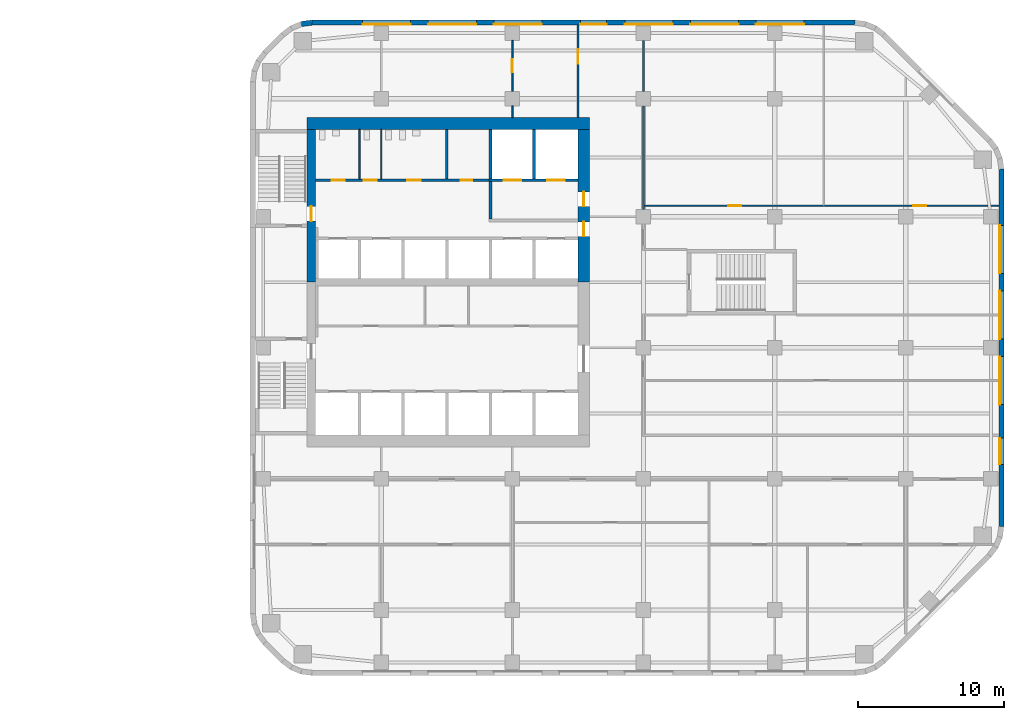
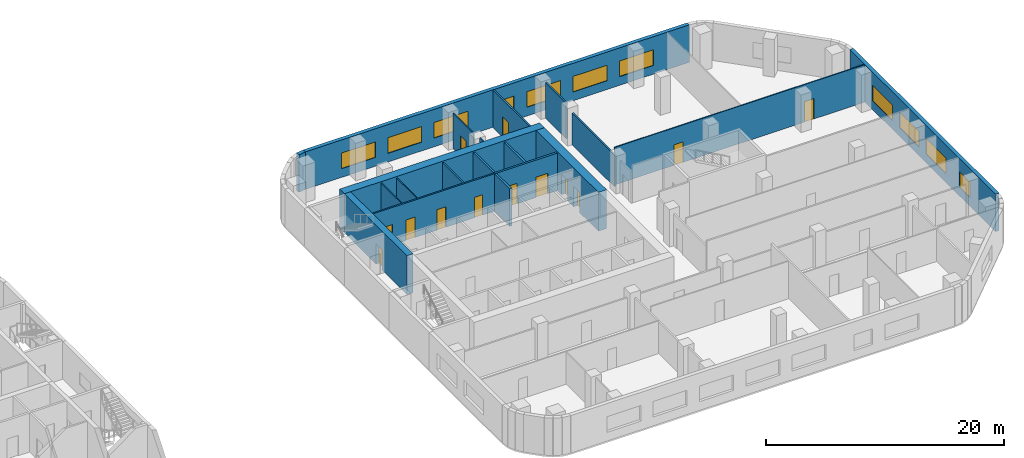
# One storey, part 10 of 14: 20 walls, 13 doors, 11 windows, 24 openings.
"""IFC4 building model written with IfcOpenShell, lengths in metres."""

from ifc_helpers import new_model, si_unit, direction, frame, frame_2d, origin, place, context, subcontext, project, spatial, rectangle, extrude, material, layer, layer_set, type_object, element, fill, save


model = new_model("IFC4")

# Units and contexts
model_context = context("Model", 3, precision=1e-05, world=origin(), true_north=direction((0.0, 1.0)))
body_context = subcontext(model_context, "Body", "Model", "MODEL_VIEW")
ifc_project = project(units=[si_unit("LENGTHUNIT", "METRE"), si_unit("AREAUNIT", "SQUARE_METRE"), si_unit("VOLUMEUNIT", "CUBIC_METRE"), si_unit("PLANEANGLEUNIT", "RADIAN"), si_unit("MASSUNIT", "GRAM", prefix="KILO")], contexts=[model_context])

# Site, building, storey
site_placement = place(None, origin())
site = spatial("IfcSite", under=ifc_project, at=site_placement, CompositionType="ELEMENT")
building_placement = place(site_placement, origin())
building = spatial("IfcBuilding", under=site, at=building_placement, Name="Cinnabar Reach Civic Tower", CompositionType="ELEMENT")
storey_placement = place(building_placement, frame((0.0, 0.0, 104.0)))
storey = spatial("IfcBuildingStorey", under=building, at=storey_placement, Name="L24", CompositionType="ELEMENT", Elevation=104.0)

# Wall
ifc_material_1 = material(Name="Facing brick with insulated backing", Category="masonry")
ifc_layer_1 = layer(ifc_material_1, 0.36)
ifc_layer_set_1 = layer_set([ifc_layer_1], Name="Brick corner wall")
wall_type_1 = type_object("IfcWallType", Name="Brick corner wall", PredefinedType="STANDARD", material=ifc_layer_set_1)
wall_1_placement = place(storey_placement, frame((4.2314, 49.317, 0.0), z_axis=(0.0, 0.0, 1.0), x_axis=(-0.99144092581, -0.13055608231, 0.0)))
element("IfcWall", 1, at=wall_1_placement, inside=storey, type_object=wall_type_1, Name="Brick corner wall", PredefinedType="STANDARD", context=body_context, shape_type="SweptSolid", body=[
    extrude(rectangle(XDim=0.7131, YDim=0.36, at=frame_2d((0.3565, 0.0))), origin(), (0.0, 0.0, 1.0), 3.85),
])

# Wall, openings, windows
ifc_layer_2 = layer(ifc_material_1, 0.36)
ifc_layer_set_2 = layer_set([ifc_layer_2], Name="Brick pier and spandrel wall")
wall_type_2 = type_object("IfcWallType", Name="Brick pier and spandrel wall", PredefinedType="STANDARD", material=ifc_layer_set_2)
wall_2_placement = place(storey_placement, frame((51.57, 14.7426, 0.0), z_axis=(0.0, 0.0, 1.0), x_axis=(0.0, 1.0, 0.0)))
wall_2 = element("IfcWall", 2, at=wall_2_placement, inside=storey, type_object=wall_type_2, Name="Brick facade wall", PredefinedType="STANDARD", context=body_context, shape_type="SweptSolid", body=[
    extrude(rectangle(XDim=24.5148, YDim=0.36, at=frame_2d((12.2574, 0.0))), origin(), (0.0, 0.0, 1.0), 3.85),
])
opening_1_placement = place(wall_2_placement, frame((4.2574, 0.0, 0.9)))
opening_1 = element("IfcOpeningElement", 3, at=opening_1_placement, cuts=wall_2, Name="Opening W1509", PredefinedType="OPENING", context=body_context, shape_type="SweptSolid", body=[
    extrude(rectangle(XDim=1.8, YDim=1.6, at=frame_2d((0.9, 0.8))), frame((0.0, 0.19, 0.0), z_axis=(0.0, -1.0, 0.0), x_axis=(1.0, 0.0, 0.0)), (0.0, 0.0, 1.0), 0.38),
])
opening_2_placement = place(wall_2_placement, frame((8.3574, 0.0, 0.9)))
opening_2 = element("IfcOpeningElement", 4, at=opening_2_placement, cuts=wall_2, Name="Opening W1510", PredefinedType="OPENING", context=body_context, shape_type="SweptSolid", body=[
    extrude(rectangle(XDim=3.3, YDim=1.6, at=frame_2d((1.65, 0.8))), frame((0.0, 0.19, 0.0), z_axis=(0.0, -1.0, 0.0), x_axis=(1.0, 0.0, 0.0)), (0.0, 0.0, 1.0), 0.38),
])
opening_3_placement = place(wall_2_placement, frame((12.8574, 0.0, 0.9)))
opening_3 = element("IfcOpeningElement", 5, at=opening_3_placement, cuts=wall_2, Name="Opening W1511", PredefinedType="OPENING", context=body_context, shape_type="SweptSolid", body=[
    extrude(rectangle(XDim=3.3, YDim=1.6, at=frame_2d((1.65, 0.8))), frame((0.0, 0.19, 0.0), z_axis=(0.0, -1.0, 0.0), x_axis=(1.0, 0.0, 0.0)), (0.0, 0.0, 1.0), 0.38),
])
opening_4_placement = place(wall_2_placement, frame((17.3574, 0.0, 0.9)))
opening_4 = element("IfcOpeningElement", 6, at=opening_4_placement, cuts=wall_2, Name="Opening W1512", PredefinedType="OPENING", context=body_context, shape_type="SweptSolid", body=[
    extrude(rectangle(XDim=3.3, YDim=1.6, at=frame_2d((1.65, 0.8))), frame((0.0, 0.19, 0.0), z_axis=(0.0, -1.0, 0.0), x_axis=(1.0, 0.0, 0.0)), (0.0, 0.0, 1.0), 0.38),
])
ifc_material_2 = material(Name="Clear double glazing in aluminium frame", Category="aluminium")
window_type_1 = type_object("IfcWindowType", Name="Deep-set window A", PartitioningType="SINGLE_PANEL", PredefinedType="WINDOW", material=ifc_material_2)
window_1_placement = place(opening_2_placement, origin())
window_1 = element("IfcWindow", 7, at=window_1_placement, inside=storey, type_object=window_type_1, Name="Window east face", OverallHeight=1.6, OverallWidth=3.3, PartitioningType="SINGLE_PANEL", PredefinedType="WINDOW", context=body_context, shape_type="SweptSolid", body=[
    extrude(rectangle(XDim=3.3, YDim=1.6, at=frame_2d((1.65, 0.8))), frame((0.0, 0.13, 0.0), z_axis=(0.0, -1.0, 0.0), x_axis=(1.0, 0.0, 0.0)), (0.0, 0.0, 1.0), 0.06),
])
fill(opening_2, window_1)
window_2_placement = place(opening_3_placement, origin())
window_2 = element("IfcWindow", 8, at=window_2_placement, inside=storey, type_object=window_type_1, Name="Window east face", OverallHeight=1.6, OverallWidth=3.3, PartitioningType="SINGLE_PANEL", PredefinedType="WINDOW", context=body_context, shape_type="SweptSolid", body=[
    extrude(rectangle(XDim=3.3, YDim=1.6, at=frame_2d((1.65, 0.8))), frame((0.0, 0.13, 0.0), z_axis=(0.0, -1.0, 0.0), x_axis=(1.0, 0.0, 0.0)), (0.0, 0.0, 1.0), 0.06),
])
fill(opening_3, window_2)
window_3_placement = place(opening_4_placement, origin())
window_3 = element("IfcWindow", 9, at=window_3_placement, inside=storey, type_object=window_type_1, Name="Window east face", OverallHeight=1.6, OverallWidth=3.3, PartitioningType="SINGLE_PANEL", PredefinedType="WINDOW", context=body_context, shape_type="SweptSolid", body=[
    extrude(rectangle(XDim=3.3, YDim=1.6, at=frame_2d((1.65, 0.8))), frame((0.0, 0.13, 0.0), z_axis=(0.0, -1.0, 0.0), x_axis=(1.0, 0.0, 0.0)), (0.0, 0.0, 1.0), 0.06),
])
fill(opening_4, window_3)
window_type_2 = type_object("IfcWindowType", Name="Deep-set window D", PartitioningType="SINGLE_PANEL", PredefinedType="WINDOW", material=ifc_material_2)
window_4_placement = place(opening_1_placement, origin())
window_4 = element("IfcWindow", 10, at=window_4_placement, inside=storey, type_object=window_type_2, Name="Window east face", OverallHeight=1.6, OverallWidth=1.8, PartitioningType="SINGLE_PANEL", PredefinedType="WINDOW", context=body_context, shape_type="SweptSolid", body=[
    extrude(rectangle(XDim=1.8, YDim=1.6, at=frame_2d((0.9, 0.8))), frame((0.0, 0.13, 0.0), z_axis=(0.0, -1.0, 0.0), x_axis=(1.0, 0.0, 0.0)), (0.0, 0.0, 1.0), 0.06),
])
fill(opening_1, window_4)

wall_3_placement = place(storey_placement, frame((41.5074, 49.32, 0.0), z_axis=(0.0, 0.0, 1.0), x_axis=(-1.0, 0.0, 0.0)))
wall_3 = element("IfcWall", 11, at=wall_3_placement, inside=storey, type_object=wall_type_2, Name="Brick facade wall", PredefinedType="STANDARD", context=body_context, shape_type="SweptSolid", body=[
    extrude(rectangle(XDim=37.2648, YDim=0.36, at=frame_2d((18.6324, 0.0))), origin(), (0.0, 0.0, 1.0), 3.85),
])
opening_5_placement = place(wall_3_placement, frame((3.4824, 0.0, 0.9)))
opening_5 = element("IfcOpeningElement", 12, at=opening_5_placement, cuts=wall_3, Name="Opening W1514", PredefinedType="OPENING", context=body_context, shape_type="SweptSolid", body=[
    extrude(rectangle(XDim=3.3, YDim=1.6, at=frame_2d((1.65, 0.8))), frame((0.0, 0.19, 0.0), z_axis=(0.0, -1.0, 0.0), x_axis=(1.0, 0.0, 0.0)), (0.0, 0.0, 1.0), 0.38),
])
opening_6_placement = place(wall_3_placement, frame((7.9824, 0.0, 0.9)))
opening_6 = element("IfcOpeningElement", 13, at=opening_6_placement, cuts=wall_3, Name="Opening W1515", PredefinedType="OPENING", context=body_context, shape_type="SweptSolid", body=[
    extrude(rectangle(XDim=3.3, YDim=1.6, at=frame_2d((1.65, 0.8))), frame((0.0, 0.19, 0.0), z_axis=(0.0, -1.0, 0.0), x_axis=(1.0, 0.0, 0.0)), (0.0, 0.0, 1.0), 0.38),
])
opening_7_placement = place(wall_3_placement, frame((12.4824, 0.0, 0.9)))
opening_7 = element("IfcOpeningElement", 14, at=opening_7_placement, cuts=wall_3, Name="Opening W1516", PredefinedType="OPENING", context=body_context, shape_type="SweptSolid", body=[
    extrude(rectangle(XDim=3.3, YDim=1.6, at=frame_2d((1.65, 0.8))), frame((0.0, 0.19, 0.0), z_axis=(0.0, -1.0, 0.0), x_axis=(1.0, 0.0, 0.0)), (0.0, 0.0, 1.0), 0.38),
])
opening_8_placement = place(wall_3_placement, frame((17.0324, 0.0, 0.9)))
opening_8 = element("IfcOpeningElement", 15, at=opening_8_placement, cuts=wall_3, Name="Opening W1517", PredefinedType="OPENING", context=body_context, shape_type="SweptSolid", body=[
    extrude(rectangle(XDim=1.8, YDim=1.6, at=frame_2d((0.9, 0.8))), frame((0.0, 0.19, 0.0), z_axis=(0.0, -1.0, 0.0), x_axis=(1.0, 0.0, 0.0)), (0.0, 0.0, 1.0), 0.38),
])
opening_9_placement = place(wall_3_placement, frame((21.4824, 0.0, 0.9)))
opening_9 = element("IfcOpeningElement", 16, at=opening_9_placement, cuts=wall_3, Name="Opening W1518", PredefinedType="OPENING", context=body_context, shape_type="SweptSolid", body=[
    extrude(rectangle(XDim=3.3, YDim=1.6, at=frame_2d((1.65, 0.8))), frame((0.0, 0.19, 0.0), z_axis=(0.0, -1.0, 0.0), x_axis=(1.0, 0.0, 0.0)), (0.0, 0.0, 1.0), 0.38),
])
opening_10_placement = place(wall_3_placement, frame((25.9824, 0.0, 0.9)))
opening_10 = element("IfcOpeningElement", 17, at=opening_10_placement, cuts=wall_3, Name="Opening W1519", PredefinedType="OPENING", context=body_context, shape_type="SweptSolid", body=[
    extrude(rectangle(XDim=3.3, YDim=1.6, at=frame_2d((1.65, 0.8))), frame((0.0, 0.19, 0.0), z_axis=(0.0, -1.0, 0.0), x_axis=(1.0, 0.0, 0.0)), (0.0, 0.0, 1.0), 0.38),
])
opening_11_placement = place(wall_3_placement, frame((30.4824, 0.0, 0.9)))
opening_11 = element("IfcOpeningElement", 18, at=opening_11_placement, cuts=wall_3, Name="Opening W1520", PredefinedType="OPENING", context=body_context, shape_type="SweptSolid", body=[
    extrude(rectangle(XDim=3.3, YDim=1.6, at=frame_2d((1.65, 0.8))), frame((0.0, 0.19, 0.0), z_axis=(0.0, -1.0, 0.0), x_axis=(1.0, 0.0, 0.0)), (0.0, 0.0, 1.0), 0.38),
])
window_5_placement = place(opening_5_placement, origin())
window_5 = element("IfcWindow", 19, at=window_5_placement, inside=storey, type_object=window_type_1, Name="Window north face", OverallHeight=1.6, OverallWidth=3.3, PartitioningType="SINGLE_PANEL", PredefinedType="WINDOW", context=body_context, shape_type="SweptSolid", body=[
    extrude(rectangle(XDim=3.3, YDim=1.6, at=frame_2d((1.65, 0.8))), frame((0.0, 0.13, 0.0), z_axis=(0.0, -1.0, 0.0), x_axis=(1.0, 0.0, 0.0)), (0.0, 0.0, 1.0), 0.06),
])
fill(opening_5, window_5)
window_6_placement = place(opening_6_placement, origin())
window_6 = element("IfcWindow", 20, at=window_6_placement, inside=storey, type_object=window_type_1, Name="Window north face", OverallHeight=1.6, OverallWidth=3.3, PartitioningType="SINGLE_PANEL", PredefinedType="WINDOW", context=body_context, shape_type="SweptSolid", body=[
    extrude(rectangle(XDim=3.3, YDim=1.6, at=frame_2d((1.65, 0.8))), frame((0.0, 0.13, 0.0), z_axis=(0.0, -1.0, 0.0), x_axis=(1.0, 0.0, 0.0)), (0.0, 0.0, 1.0), 0.06),
])
fill(opening_6, window_6)
window_7_placement = place(opening_7_placement, origin())
window_7 = element("IfcWindow", 21, at=window_7_placement, inside=storey, type_object=window_type_1, Name="Window north face", OverallHeight=1.6, OverallWidth=3.3, PartitioningType="SINGLE_PANEL", PredefinedType="WINDOW", context=body_context, shape_type="SweptSolid", body=[
    extrude(rectangle(XDim=3.3, YDim=1.6, at=frame_2d((1.65, 0.8))), frame((0.0, 0.13, 0.0), z_axis=(0.0, -1.0, 0.0), x_axis=(1.0, 0.0, 0.0)), (0.0, 0.0, 1.0), 0.06),
])
fill(opening_7, window_7)
window_8_placement = place(opening_9_placement, origin())
window_8 = element("IfcWindow", 22, at=window_8_placement, inside=storey, type_object=window_type_1, Name="Window north face", OverallHeight=1.6, OverallWidth=3.3, PartitioningType="SINGLE_PANEL", PredefinedType="WINDOW", context=body_context, shape_type="SweptSolid", body=[
    extrude(rectangle(XDim=3.3, YDim=1.6, at=frame_2d((1.65, 0.8))), frame((0.0, 0.13, 0.0), z_axis=(0.0, -1.0, 0.0), x_axis=(1.0, 0.0, 0.0)), (0.0, 0.0, 1.0), 0.06),
])
fill(opening_9, window_8)
window_9_placement = place(opening_10_placement, origin())
window_9 = element("IfcWindow", 23, at=window_9_placement, inside=storey, type_object=window_type_1, Name="Window north face", OverallHeight=1.6, OverallWidth=3.3, PartitioningType="SINGLE_PANEL", PredefinedType="WINDOW", context=body_context, shape_type="SweptSolid", body=[
    extrude(rectangle(XDim=3.3, YDim=1.6, at=frame_2d((1.65, 0.8))), frame((0.0, 0.13, 0.0), z_axis=(0.0, -1.0, 0.0), x_axis=(1.0, 0.0, 0.0)), (0.0, 0.0, 1.0), 0.06),
])
fill(opening_10, window_9)
window_10_placement = place(opening_11_placement, origin())
window_10 = element("IfcWindow", 24, at=window_10_placement, inside=storey, type_object=window_type_1, Name="Window north face", OverallHeight=1.6, OverallWidth=3.3, PartitioningType="SINGLE_PANEL", PredefinedType="WINDOW", context=body_context, shape_type="SweptSolid", body=[
    extrude(rectangle(XDim=3.3, YDim=1.6, at=frame_2d((1.65, 0.8))), frame((0.0, 0.13, 0.0), z_axis=(0.0, -1.0, 0.0), x_axis=(1.0, 0.0, 0.0)), (0.0, 0.0, 1.0), 0.06),
])
fill(opening_11, window_10)
window_11_placement = place(opening_8_placement, origin())
window_11 = element("IfcWindow", 25, at=window_11_placement, inside=storey, type_object=window_type_2, Name="Window north face", OverallHeight=1.6, OverallWidth=1.8, PartitioningType="SINGLE_PANEL", PredefinedType="WINDOW", context=body_context, shape_type="SweptSolid", body=[
    extrude(rectangle(XDim=1.8, YDim=1.6, at=frame_2d((0.9, 0.8))), frame((0.0, 0.13, 0.0), z_axis=(0.0, -1.0, 0.0), x_axis=(1.0, 0.0, 0.0)), (0.0, 0.0, 1.0), 0.06),
])
fill(opening_8, window_11)

# Wall, opening, door
ifc_material_3 = material(Name="Concrete C70", Category="concrete")
ifc_layer_3 = layer(ifc_material_3, 0.6)
ifc_layer_set_3 = layer_set([ifc_layer_3], Name="Core wall 600 EI 180")
wall_type_3 = type_object("IfcWallType", Name="Core wall 600 EI 180", PredefinedType="SOLIDWALL", material=ifc_layer_set_3)
wall_4_placement = place(storey_placement, frame((4.2, 42.0, 0.0), z_axis=(0.0, 0.0, 1.0), x_axis=(0.0, -1.0, 0.0)))
wall_4 = element("IfcWall", 26, at=wall_4_placement, inside=storey, type_object=wall_type_3, Name="Core wall T1 L24 W", PredefinedType="SOLIDWALL", context=body_context, shape_type="SweptSolid", body=[
    extrude(rectangle(XDim=10.5, YDim=0.6, at=frame_2d((5.25, 0.0))), origin(), (0.0, 0.0, 1.0), 4.0),
])
opening_12_placement = place(wall_4_placement, frame((5.3, 0.0, 0.0)))
opening_12 = element("IfcOpeningElement", 27, at=opening_12_placement, cuts=wall_4, Name="Opening D3963", PredefinedType="OPENING", context=body_context, shape_type="SweptSolid", body=[
    extrude(rectangle(XDim=1.0, YDim=2.1, at=frame_2d((0.5, 1.05))), frame((0.0, 0.31, 0.0), z_axis=(0.0, -1.0, 0.0), x_axis=(1.0, 0.0, 0.0)), (0.0, 0.0, 1.0), 0.62),
])
ifc_material_4 = material(Name="Timber door leaf in steel frame", Category="steel")
door_type_1 = type_object("IfcDoorType", Name="Stair door 1000 x 2100 T1", OperationType="SINGLE_SWING_LEFT", PredefinedType="DOOR", material=ifc_material_4)
door_1_placement = place(opening_12_placement, frame((1.0, 0.0, 0.0), z_axis=(0.0, 0.0, 1.0), x_axis=(-1.0, 0.0, 0.0)))
door_1 = element("IfcDoor", 28, at=door_1_placement, inside=storey, type_object=door_type_1, Name="Door D3963", OperationType="SINGLE_SWING_LEFT", OverallHeight=2.1, OverallWidth=1.0, PredefinedType="DOOR", context=body_context, shape_type="SweptSolid", body=[
    extrude(rectangle(XDim=1.0, YDim=2.1, at=frame_2d((0.5, 1.05))), frame((0.0, 0.025, 0.0), z_axis=(0.0, -1.0, 0.0), x_axis=(1.0, 0.0, 0.0)), (0.0, 0.0, 1.0), 0.05),
])
fill(opening_12, door_1)

# Wall
ifc_layer_4 = layer(ifc_material_3, 0.8)
ifc_layer_set_4 = layer_set([ifc_layer_4], Name="Core wall 800 EI 180")
wall_type_4 = type_object("IfcWallType", Name="Core wall 800 EI 180", PredefinedType="SOLIDWALL", material=ifc_layer_set_4)
wall_5_placement = place(storey_placement, frame((23.3, 42.4, 0.0), z_axis=(0.0, 0.0, 1.0), x_axis=(-1.0, 0.0, 0.0)))
element("IfcWall", 29, at=wall_5_placement, inside=storey, type_object=wall_type_4, Name="Core wall T1 L24 N", PredefinedType="SOLIDWALL", context=body_context, shape_type="SweptSolid", body=[
    extrude(rectangle(XDim=19.4, YDim=0.8, at=frame_2d((9.7, 0.0))), origin(), (0.0, 0.0, 1.0), 4.0),
])

# Wall, openings, doors
wall_6_placement = place(storey_placement, frame((22.9, 31.5, 0.0), z_axis=(0.0, 0.0, 1.0), x_axis=(0.0, 1.0, 0.0)))
wall_6 = element("IfcWall", 30, at=wall_6_placement, inside=storey, type_object=wall_type_4, Name="Core wall T1 L24 E2", PredefinedType="SOLIDWALL", context=body_context, shape_type="SweptSolid", body=[
    extrude(rectangle(XDim=10.5, YDim=0.8, at=frame_2d((5.25, 0.0))), origin(), (0.0, 0.0, 1.0), 4.0),
])
opening_13_placement = place(wall_6_placement, frame((3.15, 0.0, 0.0)))
opening_13 = element("IfcOpeningElement", 31, at=opening_13_placement, cuts=wall_6, Name="Opening D3978", PredefinedType="OPENING", context=body_context, shape_type="SweptSolid", body=[
    extrude(rectangle(XDim=1.0, YDim=2.1, at=frame_2d((0.5, 1.05))), frame((0.0, 0.41, 0.0), z_axis=(0.0, -1.0, 0.0), x_axis=(1.0, 0.0, 0.0)), (0.0, 0.0, 1.0), 0.82),
])
opening_14_placement = place(wall_6_placement, frame((5.2, 0.0, 0.0)))
opening_14 = element("IfcOpeningElement", 32, at=opening_14_placement, cuts=wall_6, Name="Opening D3979", PredefinedType="OPENING", context=body_context, shape_type="SweptSolid", body=[
    extrude(rectangle(XDim=1.0, YDim=2.1, at=frame_2d((0.5, 1.05))), frame((0.0, 0.41, 0.0), z_axis=(0.0, -1.0, 0.0), x_axis=(1.0, 0.0, 0.0)), (0.0, 0.0, 1.0), 0.82),
])
door_type_2 = type_object("IfcDoorType", Name="Firefighting lobby door 1000 x 2100 T1", OperationType="SINGLE_SWING_LEFT", PredefinedType="DOOR", material=ifc_material_4)
door_2_placement = place(opening_14_placement, origin())
door_2 = element("IfcDoor", 33, at=door_2_placement, inside=storey, type_object=door_type_2, Name="Door D3979", OperationType="SINGLE_SWING_RIGHT", OverallHeight=2.1, OverallWidth=1.0, PredefinedType="DOOR", context=body_context, shape_type="SweptSolid", body=[
    extrude(rectangle(XDim=1.0, YDim=2.1, at=frame_2d((0.5, 1.05))), frame((0.0, 0.025, 0.0), z_axis=(0.0, -1.0, 0.0), x_axis=(1.0, 0.0, 0.0)), (0.0, 0.0, 1.0), 0.05),
])
fill(opening_14, door_2)
door_type_3 = type_object("IfcDoorType", Name="Single swing door 1000 x 2100 T1", OperationType="SINGLE_SWING_LEFT", PredefinedType="DOOR", material=ifc_material_4)
door_3_placement = place(opening_13_placement, origin())
door_3 = element("IfcDoor", 34, at=door_3_placement, inside=storey, type_object=door_type_3, Name="Door D3978", OperationType="SINGLE_SWING_RIGHT", OverallHeight=2.1, OverallWidth=1.0, PredefinedType="DOOR", context=body_context, shape_type="SweptSolid", body=[
    extrude(rectangle(XDim=1.0, YDim=2.1, at=frame_2d((0.5, 1.05))), frame((0.0, 0.025, 0.0), z_axis=(0.0, -1.0, 0.0), x_axis=(1.0, 0.0, 0.0)), (0.0, 0.0, 1.0), 0.05),
])
fill(opening_13, door_3)

# Walls
ifc_material_5 = material(Name="Gypsum board on steel studs, double layer", Category="steel")
ifc_layer_5 = layer(ifc_material_5, 0.15)
ifc_layer_set_5 = layer_set([ifc_layer_5], Name="Corridor wall 150 T1")
wall_type_5 = type_object("IfcWallType", Name="Corridor wall 150 T1", PredefinedType="PARTITIONING", material=ifc_layer_set_5)
wall_7_placement = place(storey_placement, frame((27.0, 36.5, 0.0), z_axis=(0.0, 0.0, 1.0), x_axis=(0.0, 1.0, 0.0)))
element("IfcWall", 35, at=wall_7_placement, inside=storey, type_object=wall_type_5, Name="Corridor wall 28", PredefinedType="PARTITIONING", context=body_context, shape_type="SweptSolid", body=[
    extrude(rectangle(XDim=7.1, YDim=0.15, at=frame_2d((3.55, 0.0))), origin(), (0.0, 0.0, 1.0), 3.256),
])
wall_8_placement = place(storey_placement, frame((27.0, 44.6, 0.0), z_axis=(0.0, 0.0, 1.0), x_axis=(0.0, 1.0, 0.0)))
element("IfcWall", 36, at=wall_8_placement, inside=storey, type_object=wall_type_5, Name="Corridor wall 29", PredefinedType="PARTITIONING", context=body_context, shape_type="SweptSolid", body=[
    extrude(rectangle(XDim=3.5, YDim=0.15, at=frame_2d((1.75, 0.0))), origin(), (0.0, 0.0, 1.0), 3.652),
])

# Wall, openings, doors
wall_9_placement = place(storey_placement, frame((4.5, 38.5, 0.0), z_axis=(0.0, 0.0, 1.0), x_axis=(1.0, 0.0, 0.0)))
wall_9 = element("IfcWall", 37, at=wall_9_placement, inside=storey, type_object=wall_type_5, Name="Corridor wall 30", PredefinedType="PARTITIONING", context=body_context, shape_type="SweptSolid", body=[
    extrude(rectangle(XDim=11.9, YDim=0.15, at=frame_2d((5.95, 0.0))), origin(), (0.0, 0.0, 1.0), 3.85),
])
opening_15_placement = place(wall_9_placement, frame((1.1, 0.0, 0.0)))
opening_15 = element("IfcOpeningElement", 38, at=opening_15_placement, cuts=wall_9, Name="Opening D3984", PredefinedType="OPENING", context=body_context, shape_type="SweptSolid", body=[
    extrude(rectangle(XDim=0.9, YDim=2.1, at=frame_2d((0.45, 1.05))), frame((0.0, 0.085, 0.0), z_axis=(0.0, -1.0, 0.0), x_axis=(1.0, 0.0, 0.0)), (0.0, 0.0, 1.0), 0.17),
])
opening_16_placement = place(wall_9_placement, frame((3.3, 0.0, 0.0)))
opening_16 = element("IfcOpeningElement", 39, at=opening_16_placement, cuts=wall_9, Name="Opening D3985", PredefinedType="OPENING", context=body_context, shape_type="SweptSolid", body=[
    extrude(rectangle(XDim=0.9, YDim=2.1, at=frame_2d((0.45, 1.05))), frame((0.0, 0.085, 0.0), z_axis=(0.0, -1.0, 0.0), x_axis=(1.0, 0.0, 0.0)), (0.0, 0.0, 1.0), 0.17),
])
opening_17_placement = place(wall_9_placement, frame((6.3, 0.0, 0.0)))
opening_17 = element("IfcOpeningElement", 40, at=opening_17_placement, cuts=wall_9, Name="Opening D3986", PredefinedType="OPENING", context=body_context, shape_type="SweptSolid", body=[
    extrude(rectangle(XDim=0.9, YDim=2.1, at=frame_2d((0.45, 1.05))), frame((0.0, 0.085, 0.0), z_axis=(0.0, -1.0, 0.0), x_axis=(1.0, 0.0, 0.0)), (0.0, 0.0, 1.0), 0.17),
])
opening_18_placement = place(wall_9_placement, frame((9.95, 0.0, 0.0)))
opening_18 = element("IfcOpeningElement", 41, at=opening_18_placement, cuts=wall_9, Name="Opening D3987", PredefinedType="OPENING", context=body_context, shape_type="SweptSolid", body=[
    extrude(rectangle(XDim=0.8, YDim=2.1, at=frame_2d((0.4, 1.05))), frame((0.0, 0.085, 0.0), z_axis=(0.0, -1.0, 0.0), x_axis=(1.0, 0.0, 0.0)), (0.0, 0.0, 1.0), 0.17),
])
door_type_4 = type_object("IfcDoorType", Name="Riser access door 800 x 2100 T1", OperationType="SINGLE_SWING_LEFT", PredefinedType="DOOR", material=ifc_material_4)
door_4_placement = place(opening_18_placement, origin())
door_4 = element("IfcDoor", 42, at=door_4_placement, inside=storey, type_object=door_type_4, Name="Door D3987", OperationType="SINGLE_SWING_LEFT", OverallHeight=2.1, OverallWidth=0.8, PredefinedType="DOOR", context=body_context, shape_type="SweptSolid", body=[
    extrude(rectangle(XDim=0.8, YDim=2.1, at=frame_2d((0.4, 1.05))), frame((0.0, 0.025, 0.0), z_axis=(0.0, -1.0, 0.0), x_axis=(1.0, 0.0, 0.0)), (0.0, 0.0, 1.0), 0.05),
])
fill(opening_18, door_4)
door_type_5 = type_object("IfcDoorType", Name="Single swing door 900 x 2100 corridor T1", OperationType="SINGLE_SWING_LEFT", PredefinedType="DOOR", material=ifc_material_4)
door_5_placement = place(opening_15_placement, origin())
door_5 = element("IfcDoor", 43, at=door_5_placement, inside=storey, type_object=door_type_5, Name="Door D3984", OperationType="SINGLE_SWING_RIGHT", OverallHeight=2.1, OverallWidth=0.9, PredefinedType="DOOR", context=body_context, shape_type="SweptSolid", body=[
    extrude(rectangle(XDim=0.9, YDim=2.1, at=frame_2d((0.45, 1.05))), frame((0.0, 0.025, 0.0), z_axis=(0.0, -1.0, 0.0), x_axis=(1.0, 0.0, 0.0)), (0.0, 0.0, 1.0), 0.05),
])
fill(opening_15, door_5)
door_6_placement = place(opening_16_placement, origin())
door_6 = element("IfcDoor", 44, at=door_6_placement, inside=storey, type_object=door_type_5, Name="Door D3985", OperationType="SINGLE_SWING_RIGHT", OverallHeight=2.1, OverallWidth=0.9, PredefinedType="DOOR", context=body_context, shape_type="SweptSolid", body=[
    extrude(rectangle(XDim=0.9, YDim=2.1, at=frame_2d((0.45, 1.05))), frame((0.0, 0.025, 0.0), z_axis=(0.0, -1.0, 0.0), x_axis=(1.0, 0.0, 0.0)), (0.0, 0.0, 1.0), 0.05),
])
fill(opening_16, door_6)
door_7_placement = place(opening_17_placement, origin())
door_7 = element("IfcDoor", 45, at=door_7_placement, inside=storey, type_object=door_type_5, Name="Door D3986", OperationType="SINGLE_SWING_LEFT", OverallHeight=2.1, OverallWidth=0.9, PredefinedType="DOOR", context=body_context, shape_type="SweptSolid", body=[
    extrude(rectangle(XDim=0.9, YDim=2.1, at=frame_2d((0.45, 1.05))), frame((0.0, 0.025, 0.0), z_axis=(0.0, -1.0, 0.0), x_axis=(1.0, 0.0, 0.0)), (0.0, 0.0, 1.0), 0.05),
])
fill(opening_17, door_7)

# Wall, opening, door
wall_10_placement = place(storey_placement, frame((22.5, 42.8, 0.0), z_axis=(0.0, 0.0, 1.0), x_axis=(0.0, 1.0, 0.0)))
wall_10 = element("IfcWall", 46, at=wall_10_placement, inside=storey, type_object=wall_type_5, Name="Corridor wall 33", PredefinedType="PARTITIONING", context=body_context, shape_type="SweptSolid", body=[
    extrude(rectangle(XDim=6.34, YDim=0.15, at=frame_2d((3.17, 0.0))), origin(), (0.0, 0.0, 1.0), 3.85),
])
opening_19_placement = place(wall_10_placement, frame((3.7, 0.0, 0.0)))
opening_19 = element("IfcOpeningElement", 47, at=opening_19_placement, cuts=wall_10, Name="Opening D4003", PredefinedType="OPENING", context=body_context, shape_type="SweptSolid", body=[
    extrude(rectangle(XDim=1.0, YDim=2.1, at=frame_2d((0.5, 1.05))), frame((0.0, 0.085, 0.0), z_axis=(0.0, -1.0, 0.0), x_axis=(1.0, 0.0, 0.0)), (0.0, 0.0, 1.0), 0.17),
])
door_type_6 = type_object("IfcDoorType", Name="Tenancy entrance door 1000 x 2100 T1", OperationType="SINGLE_SWING_LEFT", PredefinedType="DOOR", material=ifc_material_4)
door_8_placement = place(opening_19_placement, origin())
door_8 = element("IfcDoor", 48, at=door_8_placement, inside=storey, type_object=door_type_6, Name="Door D4003", OperationType="SINGLE_SWING_LEFT", OverallHeight=2.1, OverallWidth=1.0, PredefinedType="DOOR", context=body_context, shape_type="SweptSolid", body=[
    extrude(rectangle(XDim=1.0, YDim=2.1, at=frame_2d((0.5, 1.05))), frame((0.0, 0.025, 0.0), z_axis=(0.0, -1.0, 0.0), x_axis=(1.0, 0.0, 0.0)), (0.0, 0.0, 1.0), 0.05),
])
fill(opening_19, door_8)

# Walls
ifc_material_6 = material(Name="Blockwork", Category="masonry")
ifc_layer_6 = layer(ifc_material_6, 0.2)
ifc_layer_set_6 = layer_set([ifc_layer_6], Name="Lift shaft wall 200 T1")
wall_type_6 = type_object("IfcWallType", Name="Lift shaft wall 200 T1", PredefinedType="PARTITIONING", material=ifc_layer_set_6)
for number, where, z_axis, x_axis, name in (
    (49, (16.5, 38.6, 0.0), (0.0, 0.0, 1.0), (0.0, 1.0, 0.0), "Lift shaft wall 6"),
    (50, (19.5, 38.6, 0.0), (0.0, 0.0, 1.0), (0.0, 1.0, 0.0), "Lift shaft wall 7"),
):
    element("IfcWall", number, at=place(storey_placement, frame(where, z_axis=z_axis, x_axis=x_axis)), inside=storey, type_object=wall_type_6, Name=name, PredefinedType="PARTITIONING", context=body_context, shape_type="SweptSolid", body=[
        extrude(rectangle(XDim=3.4, YDim=0.2, at=frame_2d((1.7, 0.0))), origin(), (0.0, 0.0, 1.0), 3.85),
    ])

# Wall, openings, doors
ifc_material_7 = material(Name="Gypsum board on steel studs", Category="steel")
ifc_layer_7 = layer(ifc_material_7, 0.1)
ifc_layer_set_7 = layer_set([ifc_layer_7], Name="Partition wall 100 T1")
wall_type_7 = type_object("IfcWallType", Name="Partition wall 100 T1", PredefinedType="PARTITIONING", material=ifc_layer_set_7)
wall_11_placement = place(storey_placement, frame((27.075, 36.75, 0.0), z_axis=(0.0, 0.0, 1.0), x_axis=(1.0, 0.0, 0.0)))
wall_11 = element("IfcWall", 51, at=wall_11_placement, inside=storey, type_object=wall_type_7, Name="Partition wall 46", PredefinedType="PARTITIONING", context=body_context, shape_type="SweptSolid", body=[
    extrude(rectangle(XDim=24.315, YDim=0.1, at=frame_2d((12.1575, 0.0))), origin(), (0.0, 0.0, 1.0), 3.85),
])
opening_20_placement = place(wall_11_placement, frame((5.75, 0.0, 0.0)))
opening_20 = element("IfcOpeningElement", 52, at=opening_20_placement, cuts=wall_11, Name="Opening D3989", PredefinedType="OPENING", context=body_context, shape_type="SweptSolid", body=[
    extrude(rectangle(XDim=0.9, YDim=2.1, at=frame_2d((0.45, 1.05))), frame((0.0, 0.06, 0.0), z_axis=(0.0, -1.0, 0.0), x_axis=(1.0, 0.0, 0.0)), (0.0, 0.0, 1.0), 0.12),
])
opening_21_placement = place(wall_11_placement, frame((18.45, 0.0, 0.0)))
opening_21 = element("IfcOpeningElement", 53, at=opening_21_placement, cuts=wall_11, Name="Opening D3990", PredefinedType="OPENING", context=body_context, shape_type="SweptSolid", body=[
    extrude(rectangle(XDim=0.9, YDim=2.1, at=frame_2d((0.45, 1.05))), frame((0.0, 0.06, 0.0), z_axis=(0.0, -1.0, 0.0), x_axis=(1.0, 0.0, 0.0)), (0.0, 0.0, 1.0), 0.12),
])
door_type_7 = type_object("IfcDoorType", Name="Single swing door 900 x 2100 T1", OperationType="SINGLE_SWING_LEFT", PredefinedType="DOOR", material=ifc_material_4)
door_9_placement = place(opening_20_placement, frame((0.9, 0.0, 0.0), z_axis=(0.0, 0.0, 1.0), x_axis=(-1.0, 0.0, 0.0)))
door_9 = element("IfcDoor", 54, at=door_9_placement, inside=storey, type_object=door_type_7, Name="Door D3989", OperationType="SINGLE_SWING_RIGHT", OverallHeight=2.1, OverallWidth=0.9, PredefinedType="DOOR", context=body_context, shape_type="SweptSolid", body=[
    extrude(rectangle(XDim=0.9, YDim=2.1, at=frame_2d((0.45, 1.05))), frame((0.0, 0.025, 0.0), z_axis=(0.0, -1.0, 0.0), x_axis=(1.0, 0.0, 0.0)), (0.0, 0.0, 1.0), 0.05),
])
fill(opening_20, door_9)
door_10_placement = place(opening_21_placement, origin())
door_10 = element("IfcDoor", 55, at=door_10_placement, inside=storey, type_object=door_type_7, Name="Door D3990", OperationType="SINGLE_SWING_LEFT", OverallHeight=2.1, OverallWidth=0.9, PredefinedType="DOOR", context=body_context, shape_type="SweptSolid", body=[
    extrude(rectangle(XDim=0.9, YDim=2.1, at=frame_2d((0.45, 1.05))), frame((0.0, 0.025, 0.0), z_axis=(0.0, -1.0, 0.0), x_axis=(1.0, 0.0, 0.0)), (0.0, 0.0, 1.0), 0.05),
])
fill(opening_21, door_10)

# Wall
wall_12_placement = place(storey_placement, frame((18.0, 42.8, 0.0), z_axis=(0.0, 0.0, 1.0), x_axis=(0.0, 1.0, 0.0)))
element("IfcWall", 56, at=wall_12_placement, inside=storey, type_object=wall_type_7, Name="Partition wall 55", PredefinedType="PARTITIONING", context=body_context, shape_type="SweptSolid", body=[
    extrude(rectangle(XDim=0.8, YDim=0.1, at=frame_2d((0.4, 0.0))), origin(), (0.0, 0.0, 1.0), 3.85),
])

# Wall, opening, door
wall_13_placement = place(storey_placement, frame((18.0, 44.6, 0.0), z_axis=(0.0, 0.0, 1.0), x_axis=(0.0, 1.0, 0.0)))
wall_13 = element("IfcWall", 57, at=wall_13_placement, inside=storey, type_object=wall_type_7, Name="Partition wall 56", PredefinedType="PARTITIONING", context=body_context, shape_type="SweptSolid", body=[
    extrude(rectangle(XDim=3.5, YDim=0.1, at=frame_2d((1.75, 0.0))), origin(), (0.0, 0.0, 1.0), 3.652),
])
opening_22_placement = place(wall_13_placement, frame((1.3, 0.0, 0.0)))
opening_22 = element("IfcOpeningElement", 58, at=opening_22_placement, cuts=wall_13, Name="Opening D4004", PredefinedType="OPENING", context=body_context, shape_type="SweptSolid", body=[
    extrude(rectangle(XDim=0.9, YDim=2.1, at=frame_2d((0.45, 1.05))), frame((0.0, 0.06, 0.0), z_axis=(0.0, -1.0, 0.0), x_axis=(1.0, 0.0, 0.0)), (0.0, 0.0, 1.0), 0.12),
])
door_11_placement = place(opening_22_placement, frame((0.9, 0.0, 0.0), z_axis=(0.0, 0.0, 1.0), x_axis=(-1.0, 0.0, 0.0)))
door_11 = element("IfcDoor", 59, at=door_11_placement, inside=storey, type_object=door_type_7, Name="Door D4004", OperationType="SINGLE_SWING_LEFT", OverallHeight=2.1, OverallWidth=0.9, PredefinedType="DOOR", context=body_context, shape_type="SweptSolid", body=[
    extrude(rectangle(XDim=0.9, YDim=2.1, at=frame_2d((0.45, 1.05))), frame((0.0, 0.025, 0.0), z_axis=(0.0, -1.0, 0.0), x_axis=(1.0, 0.0, 0.0)), (0.0, 0.0, 1.0), 0.05),
])
fill(opening_22, door_11)

# Walls
for number, where, z_axis, x_axis, name in (
    (60, (7.5, 38.575, 0.0), (0.0, 0.0, 1.0), (0.0, 1.0, 0.0), "Partition wall 57"),
    (61, (9.0, 38.575, 0.0), (0.0, 0.0, 1.0), (0.0, 1.0, 0.0), "Partition wall 58"),
):
    element("IfcWall", number, at=place(storey_placement, frame(where, z_axis=z_axis, x_axis=x_axis)), inside=storey, type_object=wall_type_7, Name=name, PredefinedType="PARTITIONING", context=body_context, shape_type="SweptSolid", body=[
        extrude(rectangle(XDim=3.425, YDim=0.1, at=frame_2d((1.7125, 0.0))), origin(), (0.0, 0.0, 1.0), 3.85),
    ])

# Wall, openings, doors
ifc_material_8 = material(Name="Concrete C40", Category="concrete")
ifc_layer_8 = layer(ifc_material_8, 0.2)
ifc_layer_set_8 = layer_set([ifc_layer_8], Name="Refuge compartment wall 200 T1")
wall_type_8 = type_object("IfcWallType", Name="Refuge compartment wall 200 T1", PredefinedType="PARTITIONING", material=ifc_layer_set_8)
wall_14_placement = place(storey_placement, frame((16.4, 38.5, 0.0), z_axis=(0.0, 0.0, 1.0), x_axis=(1.0, 0.0, 0.0)))
wall_14 = element("IfcWall", 62, at=wall_14_placement, inside=storey, type_object=wall_type_8, Name="Refuge compartment wall 2", PredefinedType="PARTITIONING", context=body_context, shape_type="SweptSolid", body=[
    extrude(rectangle(XDim=6.1, YDim=0.2, at=frame_2d((3.05, 0.0))), origin(), (0.0, 0.0, 1.0), 3.85),
])
opening_23_placement = place(wall_14_placement, frame((1.0, 0.0, 0.0)))
opening_23 = element("IfcOpeningElement", 63, at=opening_23_placement, cuts=wall_14, Name="Opening D3975", PredefinedType="OPENING", context=body_context, shape_type="SweptSolid", body=[
    extrude(rectangle(XDim=1.2, YDim=2.1, at=frame_2d((0.6, 1.05))), frame((0.0, 0.11, 0.0), z_axis=(0.0, -1.0, 0.0), x_axis=(1.0, 0.0, 0.0)), (0.0, 0.0, 1.0), 0.22),
])
opening_24_placement = place(wall_14_placement, frame((4.0, 0.0, 0.0)))
opening_24 = element("IfcOpeningElement", 64, at=opening_24_placement, cuts=wall_14, Name="Opening D3976", PredefinedType="OPENING", context=body_context, shape_type="SweptSolid", body=[
    extrude(rectangle(XDim=1.2, YDim=2.1, at=frame_2d((0.6, 1.05))), frame((0.0, 0.11, 0.0), z_axis=(0.0, -1.0, 0.0), x_axis=(1.0, 0.0, 0.0)), (0.0, 0.0, 1.0), 0.22),
])
ifc_material_9 = material(Name="Stainless steel sliding door", Category="steel")
door_type_8 = type_object("IfcDoorType", Name="Firefighting lift landing door 1200 x 2100 T1", OperationType="SLIDING_TO_LEFT", PredefinedType="DOOR", material=ifc_material_9)
door_12_placement = place(opening_23_placement, origin())
door_12 = element("IfcDoor", 65, at=door_12_placement, inside=storey, type_object=door_type_8, Name="Lift landing door FF1 L24", OperationType="SLIDING_TO_LEFT", OverallHeight=2.1, OverallWidth=1.2, PredefinedType="DOOR", context=body_context, shape_type="SweptSolid", body=[
    extrude(rectangle(XDim=1.2, YDim=2.1, at=frame_2d((0.6, 1.05))), frame((0.0, 0.025, 0.0), z_axis=(0.0, -1.0, 0.0), x_axis=(1.0, 0.0, 0.0)), (0.0, 0.0, 1.0), 0.05),
])
fill(opening_23, door_12)
door_13_placement = place(opening_24_placement, origin())
door_13 = element("IfcDoor", 66, at=door_13_placement, inside=storey, type_object=door_type_8, Name="Lift landing door FF2 L24", OperationType="SLIDING_TO_LEFT", OverallHeight=2.1, OverallWidth=1.2, PredefinedType="DOOR", context=body_context, shape_type="SweptSolid", body=[
    extrude(rectangle(XDim=1.2, YDim=2.1, at=frame_2d((0.6, 1.05))), frame((0.0, 0.025, 0.0), z_axis=(0.0, -1.0, 0.0), x_axis=(1.0, 0.0, 0.0)), (0.0, 0.0, 1.0), 0.05),
])
fill(opening_24, door_13)

# Walls
wall_15_placement = place(storey_placement, frame((16.5, 35.85, 0.0), z_axis=(0.0, 0.0, 1.0), x_axis=(0.0, 1.0, 0.0)))
element("IfcWall", 67, at=wall_15_placement, inside=storey, type_object=wall_type_8, Name="Refuge compartment wall 3", PredefinedType="PARTITIONING", context=body_context, shape_type="SweptSolid", body=[
    extrude(rectangle(XDim=2.55, YDim=0.2, at=frame_2d((1.275, 0.0))), origin(), (0.0, 0.0, 1.0), 3.85),
])
ifc_layer_9 = layer(ifc_material_6, 0.15)
ifc_layer_set_9 = layer_set([ifc_layer_9], Name="Riser wall 150 T1")
wall_type_9 = type_object("IfcWallType", Name="Riser wall 150 T1", PredefinedType="PARTITIONING", material=ifc_layer_set_9)
wall_16_placement = place(storey_placement, frame((13.5, 38.575, 0.0), z_axis=(0.0, 0.0, 1.0), x_axis=(0.0, 1.0, 0.0)))
element("IfcWall", 68, at=wall_16_placement, inside=storey, type_object=wall_type_9, Name="Riser wall 39", PredefinedType="PARTITIONING", context=body_context, shape_type="SweptSolid", body=[
    extrude(rectangle(XDim=3.425, YDim=0.15, at=frame_2d((1.7125, 0.0))), origin(), (0.0, 0.0, 1.0), 3.85),
])

save(model, "model.ifc")
